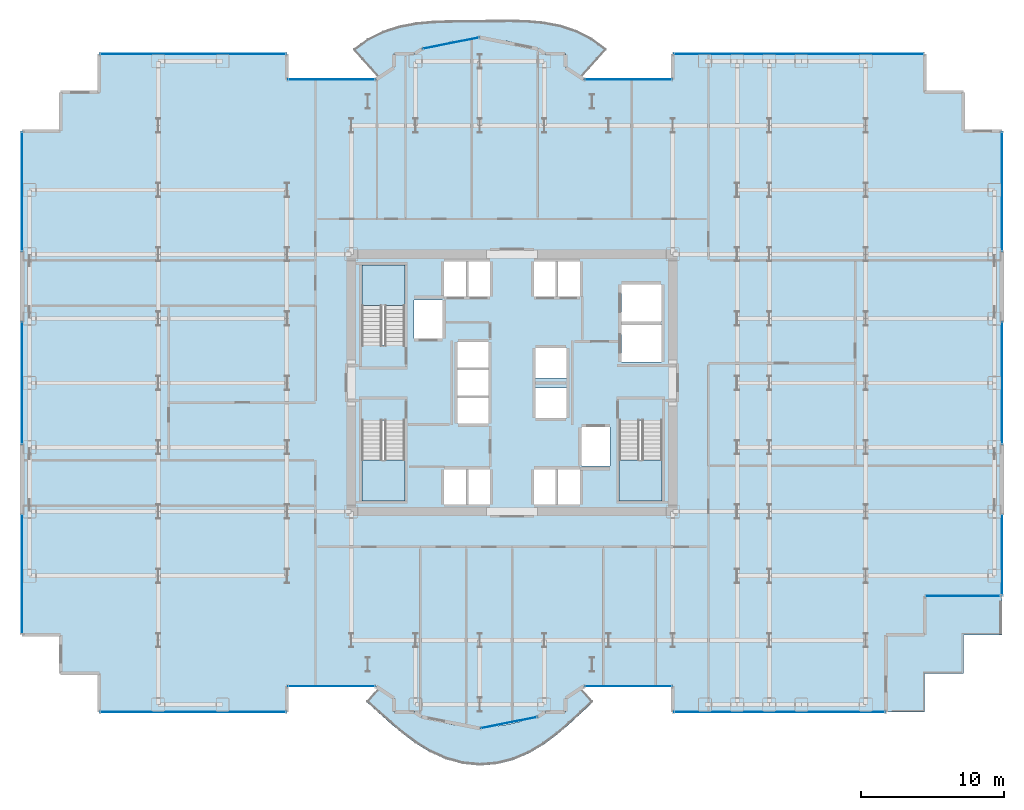
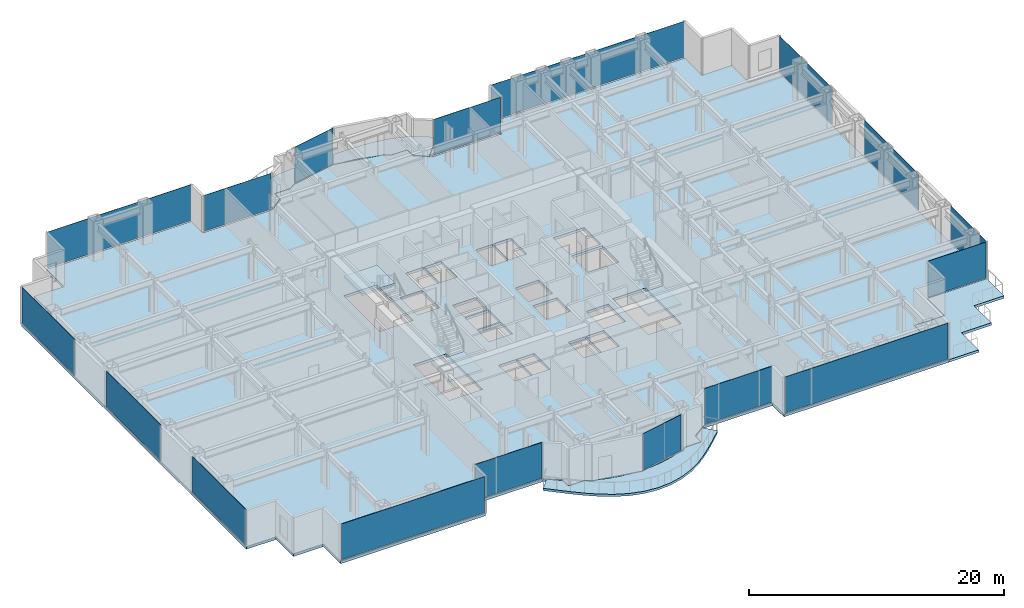
# One storey, part 20 of 29: 17 plates, 7 slabs, 20 elements without a shape of their own.
"""IFC4 building model written with IfcOpenShell, lengths in metres."""

from ifc_helpers import new_model, si_unit, direction, frame, origin, origin_2d, place, context, subcontext, project, spatial, polyline, rectangle, outline, extrude, source, transform, mapped, material, layer, layer_set, type_object, element, aggregate, save


model = new_model("IFC4")

# Units and contexts
model_context = context("Model", 3, precision=1e-05, world=origin(), true_north=direction((0.0, 1.0)))
body_context = subcontext(model_context, "Body", "Model", "MODEL_VIEW")
ifc_project = project(units=[si_unit("LENGTHUNIT", "METRE"), si_unit("AREAUNIT", "SQUARE_METRE"), si_unit("VOLUMEUNIT", "CUBIC_METRE"), si_unit("PLANEANGLEUNIT", "RADIAN"), si_unit("MASSUNIT", "GRAM", prefix="KILO")], contexts=[model_context])

# Site, building, storey
site_placement = place(None, origin())
site = spatial("IfcSite", under=ifc_project, at=site_placement, CompositionType="ELEMENT")
building_placement = place(site_placement, origin())
building = spatial("IfcBuilding", under=site, at=building_placement, Name="Nefas-Gora Pilgrimage Tower", CompositionType="ELEMENT")
storey_placement = place(building_placement, frame((0.0, 0.0, 67.199951171875)))
storey = spatial("IfcBuildingStorey", under=building, at=storey_placement, Name="L15", CompositionType="ELEMENT", Elevation=67.199951171875)

# Slabs
ifc_material_1 = material(Name="Concrete C40/50", Category="concrete")
ifc_layer_1 = layer(ifc_material_1, 0.22998046875)
ifc_layer_set_1 = layer_set([ifc_layer_1], Name="Concrete C40/50")
slab_type_1 = type_object("IfcSlabType", Name="SLB-BAL-P2", PredefinedType="FLOOR", material=ifc_layer_set_1)
slab_1_placement = place(storey_placement, frame((0.0, 0.0, -0.22998046875)))
element("IfcSlab", 1, at=slab_1_placement, inside=storey, type_object=slab_type_1, Name="L15 Sinusoidal Lobe Balcony Slab N (Phase 2)", PredefinedType="FLOOR", context=body_context, shape_type="SweptSolid", body=[
    extrude(outline(polyline([(-9.28759765625, 21.385986328125), (-9.224609375, 21.427978515625), (-8.538330078125, 21.9912109375), (-8.260009765625, 22.179931640625), (-8.260009765625, 23.02001953125), (-8.260009765625, 23.02099609375), (-8.259765625, 23.02197265625), (-8.259521484375, 23.02294921875), (-8.25927734375, 23.023681640625), (-8.2587890625, 23.024658203125), (-8.25830078125, 23.025634765625), (-8.2578125, 23.0263671875), (-8.257080078125, 23.027099609375), (-8.25634765625, 23.027587890625), (-8.255615234375, 23.0283203125), (-8.254638671875, 23.02880859375), (-8.25390625, 23.029296875), (-8.2529296875, 23.029541015625), (-8.251953125, 23.02978515625), (-8.2509765625, 23.030029296875), (-8.25, 23.030029296875), (-6.8271484375, 23.030029296875), (-6.31298828125, 23.37353515625), (-6.31201171875, 23.3740234375), (-6.311279296875, 23.37451171875), (-6.310302734375, 23.375), (-6.309326171875, 23.375), (-5.63037109375, 23.51025390625), (-5.102783203125, 23.685302734375), (-4.165283203125, 23.904052734375), (-3.211669921875, 24.035888671875), (-2.919921875, 24.04931640625), (-2.251953125, 24.18212890625), (-2.2509765625, 24.182373046875), (-2.25, 24.182373046875), (-2.2490234375, 24.182373046875), (-2.248046875, 24.18212890625), (-1.580078125, 24.04931640625), (-1.288330078125, 24.035888671875), (-0.334716796875, 23.904052734375), (0.602783203125, 23.685302734375), (1.13037109375, 23.51025390625), (1.809326171875, 23.375), (1.810302734375, 23.375), (1.811279296875, 23.37451171875), (1.81201171875, 23.3740234375), (1.81298828125, 23.37353515625), (2.3271484375, 23.030029296875), (3.75, 23.030029296875), (3.7509765625, 23.030029296875), (3.751953125, 23.02978515625), (3.7529296875, 23.029541015625), (3.75390625, 23.029296875), (3.754638671875, 23.02880859375), (3.755615234375, 23.0283203125), (3.75634765625, 23.027587890625), (3.757080078125, 23.027099609375), (3.7578125, 23.0263671875), (3.75830078125, 23.025634765625), (3.7587890625, 23.024658203125), (3.75927734375, 23.023681640625), (3.759521484375, 23.02294921875), (3.759765625, 23.02197265625), (3.760009765625, 23.02099609375), (3.760009765625, 23.02001953125), (3.760009765625, 22.179931640625), (4.038330078125, 21.9912109375), (4.724609375, 21.427978515625), (4.78759765625, 21.385986328125), (6.58251953125, 23.37939453125), (5.61669921875, 24.10498046875), (4.54248046875, 24.654296875), (3.401611328125, 25.0302734375), (2.23486328125, 25.25341796875), (1.074951171875, 25.359130859375), (-0.059326171875, 25.389404296875), (-1.16455078125, 25.3837890625), (-2.25, 25.37060546875), (-3.33349609375, 25.36181640625), (-4.43310546875, 25.349365234375), (-5.560302734375, 25.307861328125), (-6.714111328125, 25.19921875), (-7.87744140625, 24.9814453125), (-9.0205078125, 24.618408203125), (-10.102294921875, 24.085693359375), (-11.080810546875, 23.377685546875), (-9.28759765625, 21.385986328125)])), origin(), (0.0, 0.0, 1.0), 0.22998046875),
])
ifc_layer_2 = layer(ifc_material_1, 0.219970703125)
ifc_layer_set_2 = layer_set([ifc_layer_2], Name="Concrete C40/50")
slab_type_2 = type_object("IfcSlabType", Name="SLB-BAL-P6", PredefinedType="FLOOR", material=ifc_layer_set_2)
slab_2_placement = place(storey_placement, frame((0.0, 0.0, -0.219970703125)))
element("IfcSlab", 2, at=slab_2_placement, inside=storey, type_object=slab_type_2, Name="L15 Sinusoidal Lobe Balcony Slab S (Phase 6)", PredefinedType="FLOOR", context=body_context, shape_type="SweptSolid", body=[
    extrude(outline(polyline([(4.78759765625, -21.385986328125), (4.724609375, -21.427978515625), (4.038330078125, -21.9912109375), (3.760009765625, -22.179931640625), (3.760009765625, -23.02001953125), (3.760009765625, -23.02099609375), (3.759765625, -23.02197265625), (3.759521484375, -23.02294921875), (3.75927734375, -23.023681640625), (3.7587890625, -23.024658203125), (3.75830078125, -23.025634765625), (3.7578125, -23.0263671875), (3.757080078125, -23.027099609375), (3.75634765625, -23.027587890625), (3.755615234375, -23.0283203125), (3.754638671875, -23.02880859375), (3.75390625, -23.029296875), (3.7529296875, -23.029541015625), (3.751953125, -23.02978515625), (3.7509765625, -23.030029296875), (3.75, -23.030029296875), (2.3271484375, -23.030029296875), (1.81298828125, -23.37353515625), (1.81201171875, -23.3740234375), (1.811279296875, -23.37451171875), (1.810302734375, -23.375), (1.809326171875, -23.375), (1.13037109375, -23.51025390625), (0.602783203125, -23.685302734375), (-0.334716796875, -23.904052734375), (-1.288330078125, -24.035888671875), (-1.580078125, -24.04931640625), (-2.248046875, -24.18212890625), (-2.2490234375, -24.182373046875), (-2.25, -24.182373046875), (-2.2509765625, -24.182373046875), (-2.251953125, -24.18212890625), (-2.919921875, -24.04931640625), (-3.211669921875, -24.035888671875), (-4.165283203125, -23.904052734375), (-5.102783203125, -23.685302734375), (-5.63037109375, -23.51025390625), (-6.309326171875, -23.375), (-6.310302734375, -23.375), (-6.311279296875, -23.37451171875), (-6.31201171875, -23.3740234375), (-6.31298828125, -23.37353515625), (-6.8271484375, -23.030029296875), (-8.25, -23.030029296875), (-8.2509765625, -23.030029296875), (-8.251953125, -23.02978515625), (-8.2529296875, -23.029541015625), (-8.25390625, -23.029296875), (-8.254638671875, -23.02880859375), (-8.255615234375, -23.0283203125), (-8.25634765625, -23.027587890625), (-8.257080078125, -23.027099609375), (-8.2578125, -23.0263671875), (-8.25830078125, -23.025634765625), (-8.2587890625, -23.024658203125), (-8.25927734375, -23.023681640625), (-8.259521484375, -23.02294921875), (-8.259765625, -23.02197265625), (-8.260009765625, -23.02099609375), (-8.260009765625, -23.02001953125), (-8.260009765625, -22.179931640625), (-8.538330078125, -21.9912109375), (-9.224609375, -21.427978515625), (-9.28759765625, -21.385986328125), (-10.145751953125, -22.339111328125), (-9.34130859375, -23.06640625), (-8.52001953125, -23.801513671875), (-7.65576171875, -24.53173828125), (-6.724365234375, -25.226318359375), (-5.711181640625, -25.84228515625), (-4.615234375, -26.33203125), (-3.451904296875, -26.6513671875), (-2.25, -26.769287109375), (-1.0458984375, -26.67333984375), (0.122802734375, -26.3720703125), (1.2255859375, -25.8935546875), (2.2451171875, -25.280517578125), (3.1796875, -24.580322265625), (4.0419921875, -23.837646484375), (4.855712890625, -23.085693359375), (5.6474609375, -22.3408203125), (4.78759765625, -21.385986328125)])), origin(), (0.0, 0.0, 1.0), 0.219970703125),
])
ifc_layer_3 = layer(ifc_material_1, 0.239990234375)
ifc_layer_set_3 = layer_set([ifc_layer_3], Name="Concrete C40/50")
slab_type_3 = type_object("IfcSlabType", Name="SLB-TER-SP-SE", PredefinedType="FLOOR", material=ifc_layer_set_3)
slab_3_placement = place(storey_placement, frame((0.0, 0.0, -0.239990234375)))
element("IfcSlab", 3, at=slab_3_placement, inside=storey, type_object=slab_type_3, Name="L15 Outdoor Sky Terrace Slab TER-SP-SE", PredefinedType="FLOOR", context=body_context, shape_type="SweptSolid", body=[
    extrude(outline(polyline([(34.27001953125, -17.6201171875), (34.27001953125, -14.919921875), (28.8701171875, -14.919921875), (28.8701171875, -17.6201171875), (26.169921875, -17.6201171875), (26.169921875, -23.02001953125), (28.8701171875, -23.02001953125), (28.8701171875, -20.320068359375), (31.570068359375, -20.320068359375), (31.570068359375, -17.6201171875), (34.27001953125, -17.6201171875)])), origin(), (0.0, 0.0, 1.0), 0.239990234375),
])
ifc_layer_4 = layer(ifc_material_1, 0.25)
ifc_layer_set_4 = layer_set([ifc_layer_4], Name="Concrete C40/50")
slab_type_4 = type_object("IfcSlabType", Name="SLB-TWR-250", PredefinedType="FLOOR", material=ifc_layer_set_4)
slab_4_placement = place(storey_placement, frame((0.0, 0.0, -0.25)))
element("IfcSlab", 4, at=slab_4_placement, inside=storey, type_object=slab_type_4, Name="L15 Structural Floor Slab", PredefinedType="FLOOR", context=body_context, shape_type="SweptSolid", body=[
    extrude(outline(polyline([(5.01806640625, -21.219970703125), (11.25, -21.219970703125), (11.25, -23.02001953125), (26.169921875, -23.02001953125), (26.169921875, -17.6201171875), (28.8701171875, -17.6201171875), (28.8701171875, -14.919921875), (34.27001953125, -14.919921875), (34.27001953125, 17.6201171875), (31.570068359375, 17.6201171875), (31.570068359375, 20.320068359375), (28.8701171875, 20.320068359375), (28.8701171875, 23.02001953125), (11.25, 23.02001953125), (11.25, 21.219970703125), (5.01806640625, 21.219970703125), (3.75, 22.0673828125), (3.75, 23.02001953125), (2.32421875, 23.02001953125), (1.807373046875, 23.365234375), (-2.25, 24.17236328125), (-6.307373046875, 23.365234375), (-6.82421875, 23.02001953125), (-8.25, 23.02001953125), (-8.25, 22.0673828125), (-9.51806640625, 21.219970703125), (-15.75, 21.219970703125), (-15.75, 23.02001953125), (-28.8701171875, 23.02001953125), (-28.8701171875, 20.320068359375), (-31.570068359375, 20.320068359375), (-31.570068359375, 17.6201171875), (-34.27001953125, 17.6201171875), (-34.27001953125, -17.6201171875), (-31.570068359375, -17.6201171875), (-31.570068359375, -20.320068359375), (-28.8701171875, -20.320068359375), (-28.8701171875, -23.02001953125), (-15.75, -23.02001953125), (-15.75, -21.219970703125), (-9.51806640625, -21.219970703125), (-8.25, -22.0673828125), (-8.25, -23.02001953125), (-6.82421875, -23.02001953125), (-6.307373046875, -23.365234375), (-2.25, -24.17236328125), (1.807373046875, -23.365234375), (2.32421875, -23.02001953125), (3.75, -23.02001953125), (3.75, -22.0673828125), (5.01806640625, -21.219970703125)]), holes=[polyline([(-10.5, 2.639892578125), (-10.5, 8.25), (-7.5, 8.25), (-7.5, 2.639892578125), (-10.5, 2.639892578125)]), polyline([(10.5, -2.639892578125), (10.5, -8.25), (7.5, -8.25), (7.5, -2.639892578125), (10.5, -2.639892578125)]), polyline([(-7.5, -2.639892578125), (-7.5, -8.25), (-10.5, -8.25), (-10.5, -2.639892578125), (-7.5, -2.639892578125)]), polyline([(-6.85009765625, 5.800048828125), (-4.85009765625, 5.800048828125), (-4.85009765625, 3.10009765625), (-6.85009765625, 3.10009765625), (-6.85009765625, 5.800048828125)]), polyline([(4.85009765625, -3.10009765625), (6.85009765625, -3.10009765625), (6.85009765625, -5.800048828125), (4.85009765625, -5.800048828125), (4.85009765625, -3.10009765625)]), polyline([(7.64990234375, 4.050048828125), (10.449951171875, 4.050048828125), (10.449951171875, 1.449951171875), (7.64990234375, 1.449951171875), (7.64990234375, 4.050048828125)]), polyline([(7.64990234375, 6.89990234375), (10.449951171875, 6.89990234375), (10.449951171875, 4.300048828125), (7.64990234375, 4.300048828125), (7.64990234375, 6.89990234375)]), polyline([(-4.75, 8.5), (-3.14990234375, 8.5), (-3.14990234375, 6.050048828125), (-4.75, 6.050048828125), (-4.75, 8.5)]), polyline([(-3.10009765625, 8.5), (-1.550048828125, 8.5), (-1.550048828125, 6.050048828125), (-3.10009765625, 6.050048828125), (-3.10009765625, 8.5)]), polyline([(1.550048828125, 8.5), (3.10009765625, 8.5), (3.10009765625, 6.050048828125), (1.550048828125, 6.050048828125), (1.550048828125, 8.5)]), polyline([(3.14990234375, 8.5), (4.75, 8.5), (4.75, 6.050048828125), (3.14990234375, 6.050048828125), (3.14990234375, 8.5)]), polyline([(-4.75, -6.050048828125), (-3.14990234375, -6.050048828125), (-3.14990234375, -8.5), (-4.75, -8.5), (-4.75, -6.050048828125)]), polyline([(-3.10009765625, -6.050048828125), (-1.550048828125, -6.050048828125), (-1.550048828125, -8.5), (-3.10009765625, -8.5), (-3.10009765625, -6.050048828125)]), polyline([(1.550048828125, -6.050048828125), (3.10009765625, -6.050048828125), (3.10009765625, -8.5), (1.550048828125, -8.5), (1.550048828125, -6.050048828125)]), polyline([(3.14990234375, -6.050048828125), (4.75, -6.050048828125), (4.75, -8.5), (3.14990234375, -8.5), (3.14990234375, -6.050048828125)]), polyline([(-3.800048828125, -1.050048828125), (-1.64990234375, -1.050048828125), (-1.64990234375, -2.85009765625), (-3.800048828125, -2.85009765625), (-3.800048828125, -1.050048828125)]), polyline([(-3.800048828125, 0.89990234375), (-1.64990234375, 0.89990234375), (-1.64990234375, -0.89990234375), (-3.800048828125, -0.89990234375), (-3.800048828125, 0.89990234375)]), polyline([(-3.800048828125, 2.85009765625), (-1.64990234375, 2.85009765625), (-1.64990234375, 1.050048828125), (-3.800048828125, 1.050048828125), (-3.800048828125, 2.85009765625)]), polyline([(1.64990234375, -0.35009765625), (3.800048828125, -0.35009765625), (3.800048828125, -2.449951171875), (1.64990234375, -2.449951171875), (1.64990234375, -0.35009765625)]), polyline([(1.64990234375, 2.449951171875), (3.800048828125, 2.449951171875), (3.800048828125, 0.35009765625), (1.64990234375, 0.35009765625), (1.64990234375, 2.449951171875)])]), origin(), (0.0, 0.0, 1.0), 0.25),
])

# Stair, slab
ifc_material_2 = material(Name="Concrete C45/55", Category="concrete")
stair_type = type_object("IfcStairType", Name="STR-1400-R1727", PredefinedType="HALF_TURN_STAIR", material=ifc_material_2)
stair_1_placement = place(storey_placement, origin())
stair_1 = element("IfcStair", 5, at=stair_1_placement, inside=storey, type_object=stair_type, Name="L15 Pressurised Tower Exit Stair ST-01", PredefinedType="HALF_TURN_STAIR")
ifc_layer_5 = layer(ifc_material_1, 0.199951171875)
ifc_layer_set_5 = layer_set([ifc_layer_5], Name="Concrete C40/50")
slab_type_5 = type_object("IfcSlabType", Name="STR-LAND-200", PredefinedType="LANDING", material=ifc_layer_set_5)
slab_5_placement = place(storey_placement, frame((0.0, 0.0, 1.699951171875)))
slab_5 = element("IfcSlab", 6, at=slab_5_placement, type_object=slab_type_5, Name="ST-01 landing 1", PredefinedType="LANDING", context=body_context, shape_type="SweptSolid", body=[
    extrude(outline(polyline([(-7.5, 5.39990234375), (-7.5, 8.25), (-10.5, 8.25), (-10.5, 5.39990234375), (-7.5, 5.39990234375)])), origin(), (0.0, 0.0, 1.0), 0.2001953125),
])
aggregate(stair_1, [slab_5])

stair_2_placement = place(storey_placement, origin())
stair_2 = element("IfcStair", 7, at=stair_2_placement, inside=storey, type_object=stair_type, Name="L15 Pressurised Tower Exit Stair ST-02", PredefinedType="HALF_TURN_STAIR")
slab_6_placement = place(storey_placement, frame((0.0, 0.0, 1.699951171875)))
slab_6 = element("IfcSlab", 8, at=slab_6_placement, type_object=slab_type_5, Name="ST-02 landing 1", PredefinedType="LANDING", context=body_context, shape_type="SweptSolid", body=[
    extrude(outline(polyline([(7.5, -5.39990234375), (7.5, -8.25), (10.5, -8.25), (10.5, -5.39990234375), (7.5, -5.39990234375)])), origin(), (0.0, 0.0, 1.0), 0.2001953125),
])
aggregate(stair_2, [slab_6])

stair_3_placement = place(storey_placement, origin())
stair_3 = element("IfcStair", 9, at=stair_3_placement, inside=storey, type_object=stair_type, Name="L15 Pressurised Tower Exit Stair ST-03", PredefinedType="HALF_TURN_STAIR")
slab_7_placement = place(storey_placement, frame((0.0, 0.0, 1.699951171875)))
slab_7 = element("IfcSlab", 10, at=slab_7_placement, type_object=slab_type_5, Name="ST-03 landing 1", PredefinedType="LANDING", context=body_context, shape_type="SweptSolid", body=[
    extrude(outline(polyline([(-10.5, -5.39990234375), (-10.5, -8.25), (-7.5, -8.25), (-7.5, -5.39990234375), (-10.5, -5.39990234375)])), origin(), (0.0, 0.0, 1.0), 0.2001953125),
])
aggregate(stair_3, [slab_7])

# Curtain wall, plate
ifc_material_3 = material(Name="Dark ceramic-fritted solar-control aluminium-glass curtain wall", Category="aluminium")
ifc_layer_6 = layer(ifc_material_3, 0.219970703125)
ifc_layer_set_6 = layer_set([ifc_layer_6], Name="Dark ceramic-fritted solar-control aluminium-glass curtain wall")
curtain_wall_type_1 = type_object("IfcCurtainWallType", Name="CW-SYS-5", PredefinedType="NOTDEFINED", material=ifc_layer_set_6)
curtain_wall_1_placement = place(storey_placement, origin())
curtain_wall_1 = element("IfcCurtainWall", 11, at=curtain_wall_1_placement, inside=storey, type_object=curtain_wall_type_1, Name="L15 Unitised Curtain Wall CW5", PredefinedType="NOTDEFINED")
ifc_material_4 = material(Name="Dark ceramic-printed low-e insulated glass", Category="glass")
ifc_layer_7 = layer(ifc_material_4, 0.028076171875)
ifc_layer_set_7 = layer_set([ifc_layer_7], Name="Dark ceramic-printed low-e insulated glass")
plate_type_1 = type_object("IfcPlateType", Name="CWP-PNL-5", PredefinedType="CURTAIN_PANEL", material=ifc_layer_set_7)
shared_shape_1 = source(origin(), body_context, "Body", "SweptSolid", [
    extrude(rectangle(XDim=6.052001953125, YDim=0.028076171875, at=origin_2d()), origin(), (0.0, 0.0, 1.0), 3.43994140625),
])
plate_1_placement = place(storey_placement, frame((8.134033203125, -21.219970703125, 0.10009765625), z_axis=(0.0, 0.0, 1.0), x_axis=(1.0, 0.0, 0.0)))
plate_1 = element("IfcPlate", 12, at=plate_1_placement, type_object=plate_type_1, Name="CW5 Ceramic-Fritted Glazing Panel 1", PredefinedType="CURTAIN_PANEL", context=body_context, shape_type="MappedRepresentation", body=[
    mapped(shared_shape_1, transform((0.0, 0.0, 0.0), x_axis=(1.0, 0.0, 0.0), y_axis=(0.0, 1.0, 0.0), z_axis=(0.0, 0.0, 1.0), scale=1.0)),
])
aggregate(curtain_wall_1, [plate_1])

curtain_wall_2_placement = place(storey_placement, origin())
curtain_wall_2 = element("IfcCurtainWall", 13, at=curtain_wall_2_placement, inside=storey, type_object=curtain_wall_type_1, Name="L15 Unitised Curtain Wall CW5", PredefinedType="NOTDEFINED")
plate_2_placement = place(storey_placement, frame((8.134033203125, 21.219970703125, 0.10009765625), z_axis=(0.0, 0.0, 1.0), x_axis=(-1.0, 0.0, 0.0)))
plate_2 = element("IfcPlate", 14, at=plate_2_placement, type_object=plate_type_1, Name="CW5 Ceramic-Fritted Glazing Panel 1", PredefinedType="CURTAIN_PANEL", context=body_context, shape_type="MappedRepresentation", body=[
    mapped(shared_shape_1, transform((0.0, 0.0, 0.0), x_axis=(1.0, 0.0, 0.0), y_axis=(0.0, 1.0, 0.0), z_axis=(0.0, 0.0, 1.0), scale=1.0)),
])
aggregate(curtain_wall_2, [plate_2])

curtain_wall_3_placement = place(storey_placement, origin())
curtain_wall_3 = element("IfcCurtainWall", 15, at=curtain_wall_3_placement, inside=storey, type_object=curtain_wall_type_1, Name="L15 Unitised Curtain Wall CW5", PredefinedType="NOTDEFINED")
plate_3_placement = place(storey_placement, frame((-12.634033203125, 21.219970703125, 0.10009765625), z_axis=(0.0, 0.0, 1.0), x_axis=(-1.0, 0.0, 0.0)))
plate_3 = element("IfcPlate", 16, at=plate_3_placement, type_object=plate_type_1, Name="CW5 Ceramic-Fritted Glazing Panel 1", PredefinedType="CURTAIN_PANEL", context=body_context, shape_type="MappedRepresentation", body=[
    mapped(shared_shape_1, transform((0.0, 0.0, 0.0), x_axis=(1.0, 0.0, 0.0), y_axis=(0.0, 1.0, 0.0), z_axis=(0.0, 0.0, 1.0), scale=1.0)),
])
aggregate(curtain_wall_3, [plate_3])

curtain_wall_4_placement = place(storey_placement, origin())
curtain_wall_4 = element("IfcCurtainWall", 17, at=curtain_wall_4_placement, inside=storey, type_object=curtain_wall_type_1, Name="L15 Unitised Curtain Wall CW5", PredefinedType="NOTDEFINED")
plate_4_placement = place(storey_placement, frame((-12.634033203125, -21.219970703125, 0.10009765625), z_axis=(0.0, 0.0, 1.0), x_axis=(1.0, 0.0, 0.0)))
plate_4 = element("IfcPlate", 18, at=plate_4_placement, type_object=plate_type_1, Name="CW5 Ceramic-Fritted Glazing Panel 1", PredefinedType="CURTAIN_PANEL", context=body_context, shape_type="MappedRepresentation", body=[
    mapped(shared_shape_1, transform((0.0, 0.0, 0.0), x_axis=(1.0, 0.0, 0.0), y_axis=(0.0, 1.0, 0.0), z_axis=(0.0, 0.0, 1.0), scale=1.0)),
])
aggregate(curtain_wall_4, [plate_4])

ifc_layer_8 = layer(ifc_material_3, 0.219970703125)
ifc_layer_set_8 = layer_set([ifc_layer_8], Name="Dark ceramic-fritted solar-control aluminium-glass curtain wall")
curtain_wall_type_2 = type_object("IfcCurtainWallType", Name="CW-SYS-2", PredefinedType="NOTDEFINED", material=ifc_layer_set_8)
curtain_wall_5_placement = place(storey_placement, origin())
curtain_wall_5 = element("IfcCurtainWall", 19, at=curtain_wall_5_placement, inside=storey, type_object=curtain_wall_type_2, Name="L15 Unitised Curtain Wall CW2", PredefinedType="NOTDEFINED")
ifc_layer_9 = layer(ifc_material_4, 0.031982421875)
ifc_layer_set_9 = layer_set([ifc_layer_9], Name="Dark ceramic-printed low-e insulated glass")
plate_type_2 = type_object("IfcPlateType", Name="CWP-PNL-2", PredefinedType="CURTAIN_PANEL", material=ifc_layer_set_9)
shared_shape_2 = source(origin(), body_context, "Body", "SweptSolid", [
    extrude(rectangle(XDim=17.43994140625, YDim=0.031982421875, at=origin_2d()), origin(), (0.0, 0.0, 1.0), 3.43994140625),
])
plate_5_placement = place(storey_placement, frame((20.06005859375, 23.02001953125, 0.10009765625), z_axis=(0.0, 0.0, 1.0), x_axis=(-1.0, 0.0, 0.0)))
plate_5 = element("IfcPlate", 20, at=plate_5_placement, type_object=plate_type_2, Name="CW2 Ceramic-Fritted Glazing Panel 1", PredefinedType="CURTAIN_PANEL", context=body_context, shape_type="MappedRepresentation", body=[
    mapped(shared_shape_2, transform((0.0, 0.0, 0.0), x_axis=(1.0, 0.0, 0.0), y_axis=(0.0, 1.0, 0.0), z_axis=(0.0, 0.0, 1.0), scale=1.0)),
])
aggregate(curtain_wall_5, [plate_5])

curtain_wall_6_placement = place(storey_placement, origin())
curtain_wall_6 = element("IfcCurtainWall", 21, at=curtain_wall_6_placement, inside=storey, type_object=curtain_wall_type_2, Name="L15 Unitised Curtain Wall CW2", PredefinedType="NOTDEFINED")
shared_shape_3 = source(origin(), body_context, "Body", "SweptSolid", [
    extrude(rectangle(XDim=8.2900390625, YDim=0.031982421875, at=origin_2d()), origin(), (0.0, 0.0, 1.0), 3.43994140625),
])
plate_6_placement = place(storey_placement, frame((34.27001953125, 13.385009765625, 0.10009765625), z_axis=(0.0, 0.0, 1.0), x_axis=(0.0, 1.0, 0.0)))
plate_6 = element("IfcPlate", 22, at=plate_6_placement, type_object=plate_type_2, Name="CW2 Ceramic-Fritted Glazing Panel 1", PredefinedType="CURTAIN_PANEL", context=body_context, shape_type="MappedRepresentation", body=[
    mapped(shared_shape_3, transform((0.0, 0.0, 0.0), x_axis=(1.0, 0.0, 0.0), y_axis=(0.0, 1.0, 0.0), z_axis=(0.0, 0.0, 1.0), scale=1.0)),
])
aggregate(curtain_wall_6, [plate_6])

curtain_wall_7_placement = place(storey_placement, origin())
curtain_wall_7 = element("IfcCurtainWall", 23, at=curtain_wall_7_placement, inside=storey, type_object=curtain_wall_type_2, Name="L15 Unitised Curtain Wall CW2", PredefinedType="NOTDEFINED")
plate_7_placement = place(storey_placement, frame((-34.27001953125, 13.385009765625, 0.10009765625), z_axis=(0.0, 0.0, 1.0), x_axis=(0.0, -1.0, 0.0)))
plate_7 = element("IfcPlate", 24, at=plate_7_placement, type_object=plate_type_2, Name="CW2 Ceramic-Fritted Glazing Panel 1", PredefinedType="CURTAIN_PANEL", context=body_context, shape_type="MappedRepresentation", body=[
    mapped(shared_shape_3, transform((0.0, 0.0, 0.0), x_axis=(1.0, 0.0, 0.0), y_axis=(0.0, 1.0, 0.0), z_axis=(0.0, 0.0, 1.0), scale=1.0)),
])
aggregate(curtain_wall_7, [plate_7])

curtain_wall_8_placement = place(storey_placement, origin())
curtain_wall_8 = element("IfcCurtainWall", 25, at=curtain_wall_8_placement, inside=storey, type_object=curtain_wall_type_2, Name="L15 Unitised Curtain Wall CW2", PredefinedType="NOTDEFINED")
plate_8_placement = place(storey_placement, frame((-34.27001953125, -13.385009765625, 0.10009765625), z_axis=(0.0, 0.0, 1.0), x_axis=(0.0, -1.0, 0.0)))
plate_8 = element("IfcPlate", 26, at=plate_8_placement, type_object=plate_type_2, Name="CW2 Ceramic-Fritted Glazing Panel 1", PredefinedType="CURTAIN_PANEL", context=body_context, shape_type="MappedRepresentation", body=[
    mapped(shared_shape_3, transform((0.0, 0.0, 0.0), x_axis=(1.0, 0.0, 0.0), y_axis=(0.0, 1.0, 0.0), z_axis=(0.0, 0.0, 1.0), scale=1.0)),
])
aggregate(curtain_wall_8, [plate_8])

curtain_wall_9_placement = place(storey_placement, origin())
curtain_wall_9 = element("IfcCurtainWall", 27, at=curtain_wall_9_placement, inside=storey, type_object=curtain_wall_type_2, Name="L15 Unitised Curtain Wall CW2", PredefinedType="NOTDEFINED")
shared_shape_4 = source(origin(), body_context, "Body", "SweptSolid", [
    extrude(rectangle(XDim=8.52001953125, YDim=0.031982421875, at=origin_2d()), origin(), (0.0, 0.0, 1.0), 3.43994140625),
])
plate_9_placement = place(storey_placement, frame((34.27001953125, 0.0, 0.10009765625), z_axis=(0.0, 0.0, 1.0), x_axis=(0.0, 1.0, 0.0)))
plate_9 = element("IfcPlate", 28, at=plate_9_placement, type_object=plate_type_2, Name="CW2 Ceramic-Fritted Glazing Panel 1", PredefinedType="CURTAIN_PANEL", context=body_context, shape_type="MappedRepresentation", body=[
    mapped(shared_shape_4, transform((0.0, 0.0, 0.0), x_axis=(1.0, 0.0, 0.0), y_axis=(0.0, 1.0, 0.0), z_axis=(0.0, 0.0, 1.0), scale=1.0)),
])
aggregate(curtain_wall_9, [plate_9])

curtain_wall_10_placement = place(storey_placement, origin())
curtain_wall_10 = element("IfcCurtainWall", 29, at=curtain_wall_10_placement, inside=storey, type_object=curtain_wall_type_2, Name="L15 Unitised Curtain Wall CW2", PredefinedType="NOTDEFINED")
plate_10_placement = place(storey_placement, frame((-34.27001953125, 0.0, 0.10009765625), z_axis=(0.0, 0.0, 1.0), x_axis=(0.0, -1.0, 0.0)))
plate_10 = element("IfcPlate", 30, at=plate_10_placement, type_object=plate_type_2, Name="CW2 Ceramic-Fritted Glazing Panel 1", PredefinedType="CURTAIN_PANEL", context=body_context, shape_type="MappedRepresentation", body=[
    mapped(shared_shape_4, transform((0.0, 0.0, 0.0), x_axis=(1.0, 0.0, 0.0), y_axis=(0.0, 1.0, 0.0), z_axis=(0.0, 0.0, 1.0), scale=1.0)),
])
aggregate(curtain_wall_10, [plate_10])

curtain_wall_11_placement = place(storey_placement, origin())
curtain_wall_11 = element("IfcCurtainWall", 31, at=curtain_wall_11_placement, inside=storey, type_object=curtain_wall_type_1, Name="L15 Unitised Curtain Wall CW5", PredefinedType="NOTDEFINED")
shared_shape_5 = source(origin(), body_context, "Body", "SweptSolid", [
    extrude(rectangle(XDim=3.956787109375, YDim=0.028076171875, at=origin_2d()), origin(), (0.0, 0.0, 1.0), 3.43994140625),
])
plate_11_placement = place(storey_placement, frame((-4.278564453125, 23.768798828125, 0.10009765625), z_axis=(0.0, 0.0, 1.0), x_axis=(-0.980782896852, -0.195102304554, 0.0)))
plate_11 = element("IfcPlate", 32, at=plate_11_placement, type_object=plate_type_1, Name="CW5 Ceramic-Fritted Glazing Panel 1", PredefinedType="CURTAIN_PANEL", context=body_context, shape_type="MappedRepresentation", body=[
    mapped(shared_shape_5, transform((0.0, 0.0, 0.0), x_axis=(1.0, 0.0, 0.0), y_axis=(0.0, 1.0, 0.0), z_axis=(0.0, 0.0, 1.0), scale=1.0)),
])
aggregate(curtain_wall_11, [plate_11])

curtain_wall_12_placement = place(storey_placement, origin())
curtain_wall_12 = element("IfcCurtainWall", 33, at=curtain_wall_12_placement, inside=storey, type_object=curtain_wall_type_1, Name="L15 Unitised Curtain Wall CW5", PredefinedType="NOTDEFINED")
plate_12_placement = place(storey_placement, frame((-0.221435546875, -23.768798828125, 0.10009765625), z_axis=(0.0, 0.0, 1.0), x_axis=(0.980782896852, 0.195102304554, 0.0)))
plate_12 = element("IfcPlate", 34, at=plate_12_placement, type_object=plate_type_1, Name="CW5 Ceramic-Fritted Glazing Panel 1", PredefinedType="CURTAIN_PANEL", context=body_context, shape_type="MappedRepresentation", body=[
    mapped(shared_shape_5, transform((0.0, 0.0, 0.0), x_axis=(1.0, 0.0, 0.0), y_axis=(0.0, 1.0, 0.0), z_axis=(0.0, 0.0, 1.0), scale=1.0)),
])
aggregate(curtain_wall_12, [plate_12])

curtain_wall_13_placement = place(storey_placement, origin())
curtain_wall_13 = element("IfcCurtainWall", 35, at=curtain_wall_13_placement, inside=storey, type_object=curtain_wall_type_2, Name="L15 Unitised Curtain Wall CW2", PredefinedType="NOTDEFINED")
shared_shape_6 = source(origin(), body_context, "Body", "SweptSolid", [
    extrude(rectangle(XDim=12.93994140625, YDim=0.031982421875, at=origin_2d()), origin(), (0.0, 0.0, 1.0), 3.43994140625),
])
plate_13_placement = place(storey_placement, frame((-22.31005859375, 23.02001953125, 0.10009765625), z_axis=(0.0, 0.0, 1.0), x_axis=(-1.0, 0.0, 0.0)))
plate_13 = element("IfcPlate", 36, at=plate_13_placement, type_object=plate_type_2, Name="CW2 Ceramic-Fritted Glazing Panel 1", PredefinedType="CURTAIN_PANEL", context=body_context, shape_type="MappedRepresentation", body=[
    mapped(shared_shape_6, transform((0.0, 0.0, 0.0), x_axis=(1.0, 0.0, 0.0), y_axis=(0.0, 1.0, 0.0), z_axis=(0.0, 0.0, 1.0), scale=1.0)),
])
aggregate(curtain_wall_13, [plate_13])

curtain_wall_14_placement = place(storey_placement, origin())
curtain_wall_14 = element("IfcCurtainWall", 37, at=curtain_wall_14_placement, inside=storey, type_object=curtain_wall_type_2, Name="L15 Unitised Curtain Wall CW2", PredefinedType="NOTDEFINED")
plate_14_placement = place(storey_placement, frame((-22.31005859375, -23.02001953125, 0.10009765625), z_axis=(0.0, 0.0, 1.0), x_axis=(1.0, 0.0, 0.0)))
plate_14 = element("IfcPlate", 38, at=plate_14_placement, type_object=plate_type_2, Name="CW2 Ceramic-Fritted Glazing Panel 1", PredefinedType="CURTAIN_PANEL", context=body_context, shape_type="MappedRepresentation", body=[
    mapped(shared_shape_6, transform((0.0, 0.0, 0.0), x_axis=(1.0, 0.0, 0.0), y_axis=(0.0, 1.0, 0.0), z_axis=(0.0, 0.0, 1.0), scale=1.0)),
])
aggregate(curtain_wall_14, [plate_14])

curtain_wall_15_placement = place(storey_placement, origin())
curtain_wall_15 = element("IfcCurtainWall", 39, at=curtain_wall_15_placement, inside=storey, type_object=curtain_wall_type_2, Name="L15 Unitised Curtain Wall CW2", PredefinedType="NOTDEFINED")
shared_shape_7 = source(origin(), body_context, "Body", "SweptSolid", [
    extrude(rectangle(XDim=5.219970703125, YDim=0.031982421875, at=origin_2d()), origin(), (0.0, 0.0, 1.0), 3.43994140625),
])
plate_15_placement = place(storey_placement, frame((31.570068359375, -14.919921875, 0.10009765625), z_axis=(0.0, 0.0, 1.0), x_axis=(1.0, 0.0, 0.0)))
plate_15 = element("IfcPlate", 40, at=plate_15_placement, type_object=plate_type_2, Name="CW2 Ceramic-Fritted Glazing Panel 1", PredefinedType="CURTAIN_PANEL", context=body_context, shape_type="MappedRepresentation", body=[
    mapped(shared_shape_7, transform((0.0, 0.0, 0.0), x_axis=(1.0, 0.0, 0.0), y_axis=(0.0, 1.0, 0.0), z_axis=(0.0, 0.0, 1.0), scale=1.0)),
])
aggregate(curtain_wall_15, [plate_15])

curtain_wall_16_placement = place(storey_placement, origin())
curtain_wall_16 = element("IfcCurtainWall", 41, at=curtain_wall_16_placement, inside=storey, type_object=curtain_wall_type_2, Name="L15 Unitised Curtain Wall CW2", PredefinedType="NOTDEFINED")
shared_shape_8 = source(origin(), body_context, "Body", "SweptSolid", [
    extrude(rectangle(XDim=14.739990234375, YDim=0.031982421875, at=origin_2d()), origin(), (0.0, 0.0, 1.0), 3.43994140625),
])
plate_16_placement = place(storey_placement, frame((18.7099609375, -23.02001953125, 0.10009765625), z_axis=(0.0, 0.0, 1.0), x_axis=(1.0, 0.0, 0.0)))
plate_16 = element("IfcPlate", 42, at=plate_16_placement, type_object=plate_type_2, Name="CW2 Ceramic-Fritted Glazing Panel 1", PredefinedType="CURTAIN_PANEL", context=body_context, shape_type="MappedRepresentation", body=[
    mapped(shared_shape_8, transform((0.0, 0.0, 0.0), x_axis=(1.0, 0.0, 0.0), y_axis=(0.0, 1.0, 0.0), z_axis=(0.0, 0.0, 1.0), scale=1.0)),
])
aggregate(curtain_wall_16, [plate_16])

curtain_wall_17_placement = place(storey_placement, origin())
curtain_wall_17 = element("IfcCurtainWall", 43, at=curtain_wall_17_placement, inside=storey, type_object=curtain_wall_type_2, Name="L15 Unitised Curtain Wall CW2", PredefinedType="NOTDEFINED")
shared_shape_9 = source(origin(), body_context, "Body", "SweptSolid", [
    extrude(rectangle(XDim=5.590087890625, YDim=0.031982421875, at=origin_2d()), origin(), (0.0, 0.0, 1.0), 3.43994140625),
])
plate_17_placement = place(storey_placement, frame((34.27001953125, -12.034912109375, 0.10009765625), z_axis=(0.0, 0.0, 1.0), x_axis=(0.0, 1.0, 0.0)))
plate_17 = element("IfcPlate", 44, at=plate_17_placement, type_object=plate_type_2, Name="CW2 Ceramic-Fritted Glazing Panel 1", PredefinedType="CURTAIN_PANEL", context=body_context, shape_type="MappedRepresentation", body=[
    mapped(shared_shape_9, transform((0.0, 0.0, 0.0), x_axis=(1.0, 0.0, 0.0), y_axis=(0.0, 1.0, 0.0), z_axis=(0.0, 0.0, 1.0), scale=1.0)),
])
aggregate(curtain_wall_17, [plate_17])

save(model, "model.ifc")
